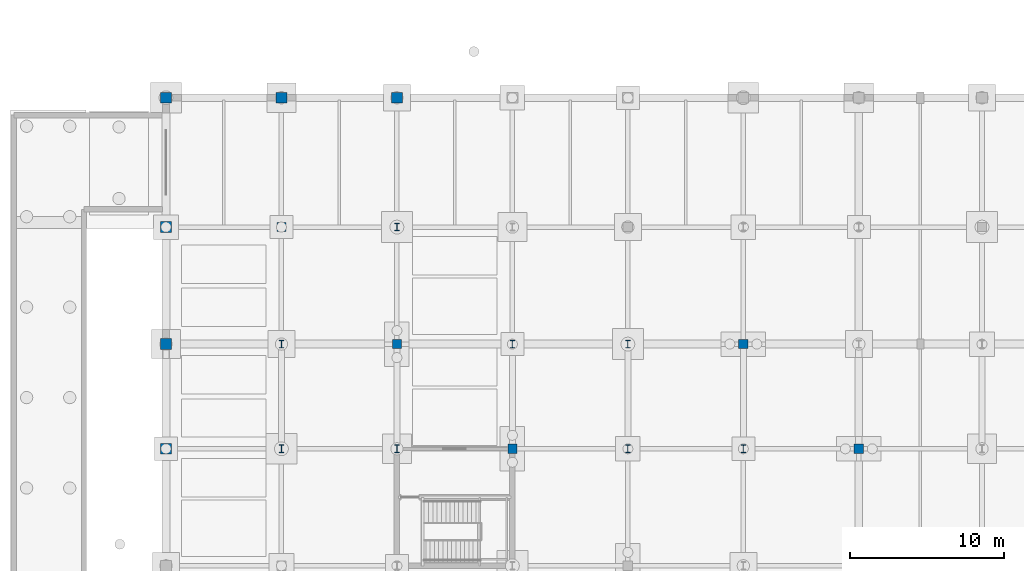
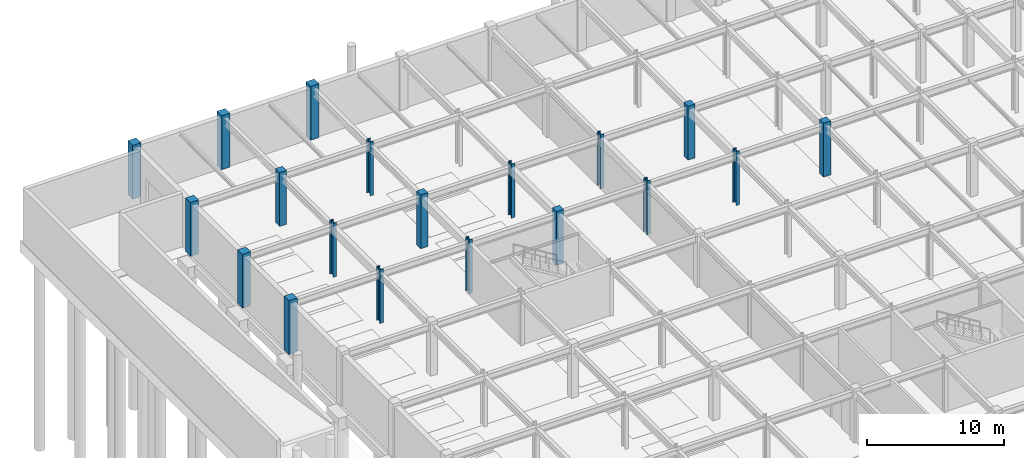
# One storey, part 19 of 53: 19 columns.
"""IFC4 building model written with IfcOpenShell, lengths in metres."""

from ifc_helpers import new_model, si_unit, direction, frame, origin, origin_2d, place, context, subcontext, project, spatial, rectangle, i_section, extrude, material, material_profile, profile_set, type_object, element, save


model = new_model("IFC4")

# Units and contexts
model_context = context("Model", 3, precision=1e-05, world=origin(), true_north=direction((0.0, 1.0)))
body_context = subcontext(model_context, "Body", "Model", "MODEL_VIEW")
ifc_project = project(units=[si_unit("LENGTHUNIT", "METRE"), si_unit("AREAUNIT", "SQUARE_METRE"), si_unit("VOLUMEUNIT", "CUBIC_METRE"), si_unit("PLANEANGLEUNIT", "RADIAN"), si_unit("MASSUNIT", "GRAM", prefix="KILO")], contexts=[model_context])

# Site, building, storey
site_placement = place(None, origin())
site = spatial("IfcSite", under=ifc_project, at=site_placement, CompositionType="ELEMENT")
building_placement = place(site_placement, origin())
building = spatial("IfcBuilding", under=site, at=building_placement, Name="Shalkamar Park Central Library", CompositionType="ELEMENT")
storey_placement = place(building_placement, frame((0.0, 0.0, -4.800048828125)))
storey = spatial("IfcBuildingStorey", under=building, at=storey_placement, Name="B1", CompositionType="ELEMENT", Elevation=-4.800048828125)

# Columns
ifc_material_1 = material(Name="Concrete C40/50", Category="concrete")
ifc_material_profile_1 = material_profile(ifc_material_1, rectangle(XDim=0.60009765625, YDim=0.60009765625, at=origin_2d()), Name="RC 600x600")
ifc_profile_set_1 = profile_set([ifc_material_profile_1], Name="Concrete C40/50")
column_type_1 = type_object("IfcColumnType", Name="Column Concrete RC600", PredefinedType="COLUMN", material=ifc_profile_set_1)
for number, where, z_axis, x_axis, name in (
    (1, (127.5, 345.60009765625, 0.0), (0.0, 0.0, 1.0), (1.0, 0.0, 0.0), "Column 02/Q (B1)"),
    (2, (135.0, 338.0, 0.0), (0.0, 0.0, 1.0), (1.0, 0.0, 0.0), "Column 03/P (B1)"),
    (3, (142.5, 331.199951171875, 0.0), (0.0, 0.0, 1.0), (1.0, 0.0, 0.0), "Column 04/N (B1)"),
    (4, (157.5, 338.0, 0.0), (0.0, 0.0, 1.0), (1.0, 0.0, 0.0), "Column 06/P (B1)"),
    (5, (165.0, 331.199951171875, 0.0), (0.0, 0.0, 1.0), (1.0, 0.0, 0.0), "Column 07/N (B1)"),
):
    element("IfcColumn", number, at=place(storey_placement, frame(where, z_axis=z_axis, x_axis=x_axis)), inside=storey, type_object=column_type_1, Name=name, PredefinedType="COLUMN", context=body_context, shape_type="SweptSolid", body=[
        extrude(rectangle(XDim=0.60009765625, YDim=0.60009765625, at=origin_2d()), origin(), (0.0, 0.0, 1.0), 4.800048828125),
    ])
ifc_material_profile_2 = material_profile(ifc_material_1, rectangle(XDim=0.699951171875, YDim=0.699951171875, at=origin_2d()), Name="RC 700x700")
ifc_profile_set_2 = profile_set([ifc_material_profile_2], Name="Concrete C40/50")
column_type_2 = type_object("IfcColumnType", Name="Column Concrete RC700", PredefinedType="COLUMN", material=ifc_profile_set_2)
for number, where, z_axis, x_axis, name in (
    (6, (120.0, 331.199951171875, 0.0), (0.0, 0.0, 1.0), (1.0, 0.0, 0.0), "Column 01/N (B1)"),
    (7, (120.0, 338.0, 0.0), (0.0, 0.0, 1.0), (1.0, 0.0, 0.0), "Column 01/P (B1)"),
    (8, (120.0, 345.60009765625, 0.0), (0.0, 0.0, 1.0), (1.0, 0.0, 0.0), "Column 01/Q (B1)"),
    (9, (120.0, 354.0, 0.0), (0.0, 0.0, 1.0), (1.0, 0.0, 0.0), "Column 01/R (B1)"),
    (10, (127.5, 354.0, 0.0), (0.0, 0.0, 1.0), (1.0, 0.0, 0.0), "Column 02/R (B1)"),
    (11, (135.0, 354.0, 0.0), (0.0, 0.0, 1.0), (1.0, 0.0, 0.0), "Column 03/R (B1)"),
):
    element("IfcColumn", number, at=place(storey_placement, frame(where, z_axis=z_axis, x_axis=x_axis)), inside=storey, type_object=column_type_2, Name=name, PredefinedType="COLUMN", context=body_context, shape_type="SweptSolid", body=[
        extrude(rectangle(XDim=0.699951171875, YDim=0.699951171875, at=origin_2d()), origin(), (0.0, 0.0, 1.0), 4.800048828125),
    ])
ifc_material_2 = material(Name="Steel S355", Category="steel")
ifc_material_profile_3 = material_profile(ifc_material_2, i_section(OverallWidth=0.300048828125, OverallDepth=0.5, WebThickness=0.014404296875, FlangeThickness=0.028076171875, FilletRadius=0.027099609375, at=origin_2d()), Name="HEB 500")
ifc_profile_set_3 = profile_set([ifc_material_profile_3], Name="Steel S355")
column_type_3 = type_object("IfcColumnType", Name="Column Steel HEB500", PredefinedType="COLUMN", material=ifc_profile_set_3)
for number, where, z_axis, x_axis, name in (
    (12, (127.5, 331.199951171875, 0.0), (0.0, 0.0, 1.0), (1.0, 0.0, 0.0), "Column 02/N (B1)"),
    (13, (127.5, 338.0, 0.0), (0.0, 0.0, 1.0), (1.0, 0.0, 0.0), "Column 02/P (B1)"),
    (14, (135.0, 331.199951171875, 0.0), (0.0, 0.0, 1.0), (1.0, 0.0, 0.0), "Column 03/N (B1)"),
    (15, (135.0, 345.60009765625, 0.0), (0.0, 0.0, 1.0), (1.0, 0.0, 0.0), "Column 03/Q (B1)"),
    (16, (142.5, 338.0, 0.0), (0.0, 0.0, 1.0), (1.0, 0.0, 0.0), "Column 04/P (B1)"),
    (17, (150.0, 331.199951171875, 0.0), (0.0, 0.0, 1.0), (1.0, 0.0, 0.0), "Column 05/N (B1)"),
    (18, (150.0, 338.0, 0.0), (0.0, 0.0, 1.0), (1.0, 0.0, 0.0), "Column 05/P (B1)"),
    (19, (157.5, 331.199951171875, 0.0), (0.0, 0.0, 1.0), (1.0, 0.0, 0.0), "Column 06/N (B1)"),
):
    element("IfcColumn", number, at=place(storey_placement, frame(where, z_axis=z_axis, x_axis=x_axis)), inside=storey, type_object=column_type_3, Name=name, PredefinedType="COLUMN", context=body_context, shape_type="SweptSolid", body=[
        extrude(i_section(OverallWidth=0.300048828125, OverallDepth=0.5, WebThickness=0.014404296875, FlangeThickness=0.028076171875, FilletRadius=0.027099609375, at=origin_2d()), origin(), (0.0, 0.0, 1.0), 4.800048828125),
    ])

save(model, "model.ifc")
